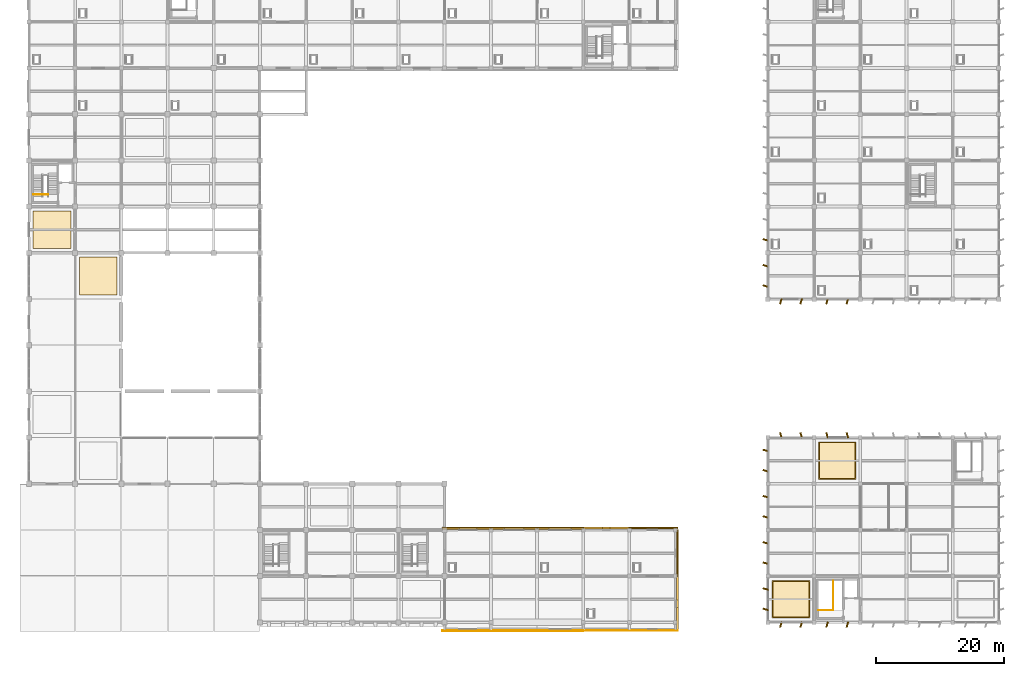
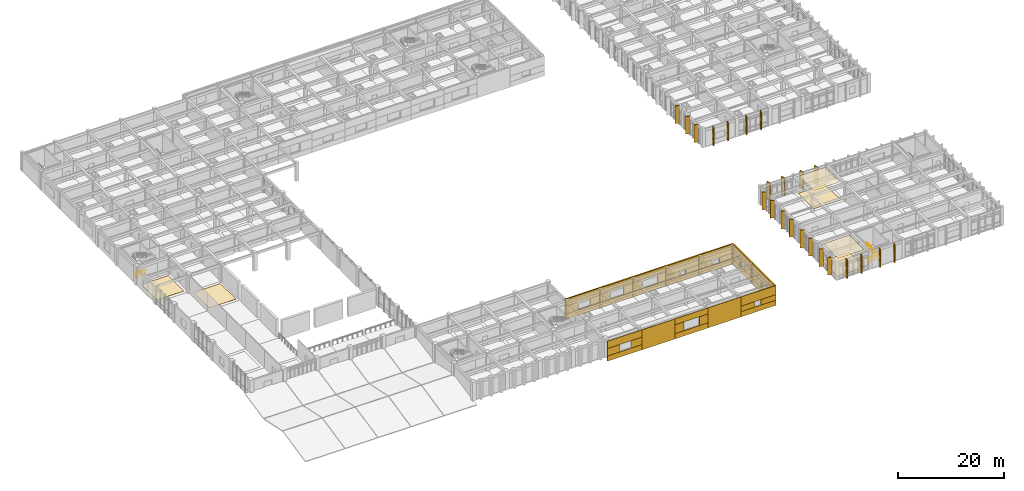
# One storey, part 65 of 70: 71 coverings, 2 railings.
"""IFC4 building model written with IfcOpenShell, lengths in metres."""

import ifcopenshell
import ifcopenshell.guid

model = None  # the IFC model being written
_history = None  # IfcOwnerHistory: only IFC2X3 demands one
_inside = {}  # id of a spatial element -> (the spatial element, [elements in it])
_under = {}  # id of a project, library or spatial element -> (it, [spatial elements below it])
_declared = {}  # id of a project -> (the project, [libraries it declares])
_typed = {}  # id of a type object -> (the type object, [elements of that type])
_made_of = {}  # id of a material, layer set ... -> (it, [elements and type objects made of it])


def new_model(schema):
    """Start an empty IFC model of exactly this schema.

    Asked for "IFC4X3", IfcOpenShell would pick the latest addendum, in which some entities
    have other attributes; the version numbers below select the first issue.
    IFC2X3 requires an IfcOwnerHistory on every rooted entity: one is made here for all.
    """
    global model, _history
    if schema == "IFC4X3":
        model = ifcopenshell.file(schema_version=(4, 3, 0, 0))
    else:
        model = ifcopenshell.file(schema=schema)
    _inside.clear()
    _under.clear()
    _declared.clear()
    _typed.clear()
    _made_of.clear()
    _history = None
    if model.schema == "IFC2X3":
        org = make("IfcOrganization", Name="unknown")
        user = make(
            "IfcPersonAndOrganization",
            ThePerson=make("IfcPerson", FamilyName="unknown"),
            TheOrganization=org,
        )
        app = make(
            "IfcApplication",
            ApplicationDeveloper=org,
            Version="unknown",
            ApplicationFullName="unknown",
            ApplicationIdentifier="unknown",
        )
        _history = make(
            "IfcOwnerHistory",
            OwningUser=user,
            OwningApplication=app,
            ChangeAction="ADDED",
            CreationDate=0,
        )
    return model


def make(cls, **values):
    """One entity of the class cls with the attributes given. An attribute that is None is left unset."""
    return model.create_entity(
        cls, **{name: value for name, value in values.items() if value is not None}
    )


def rooted(cls, **values):
    """An entity with a GlobalId (a new one), such as an element, a storey or a relation."""
    return make(cls, GlobalId=ifcopenshell.guid.new(), OwnerHistory=_history, **values)


def si_unit(unit_type, name, prefix=None):
    """IfcSIUnit, for example si_unit("LENGTHUNIT", "METRE", prefix="MILLI")."""
    return make("IfcSIUnit", UnitType=unit_type, Prefix=prefix, Name=name)


def assignment(units):
    """IfcUnitAssignment: the units of a project."""
    return None if units is None else make("IfcUnitAssignment", Units=units)


def point(xyz):
    """IfcCartesianPoint."""
    return None if xyz is None else make("IfcCartesianPoint", Coordinates=xyz)


def direction(xyz):
    """IfcDirection."""
    return None if xyz is None else make("IfcDirection", DirectionRatios=xyz)


def frame(location, z_axis=None, x_axis=None):
    """IfcAxis2Placement3D, a coordinate frame: its origin and axes. An axis left out is left unset."""
    return make(
        "IfcAxis2Placement3D",
        Location=point(location),
        Axis=direction(z_axis),
        RefDirection=direction(x_axis),
    )


def frame_2d(location, x_axis=None):
    """IfcAxis2Placement2D, a coordinate frame in the plane: its origin and x axis."""
    return make(
        "IfcAxis2Placement2D", Location=point(location), RefDirection=direction(x_axis)
    )


def origin():
    """The frame at (0, 0, 0) with its axes left unset."""
    return frame((0.0, 0.0, 0.0))


def origin_2d():
    """The frame at (0, 0) in the plane with its x axis left unset."""
    return frame_2d((0.0, 0.0))


def place(relative_to, where):
    """IfcLocalPlacement: puts the frame where relative to a parent placement (None: the world)."""
    return make(
        "IfcLocalPlacement", PlacementRelTo=relative_to, RelativePlacement=where
    )


def context(
    kind, dimensions, precision=None, world=None, true_north=None, identifier=None
):
    """IfcGeometricRepresentationContext, for example the 3D "Model" context."""
    return make(
        "IfcGeometricRepresentationContext",
        ContextIdentifier=identifier,
        ContextType=kind,
        CoordinateSpaceDimension=dimensions,
        Precision=precision,
        WorldCoordinateSystem=world,
        TrueNorth=true_north,
    )


def subcontext(parent, identifier, kind, view, scale=None):
    """IfcGeometricRepresentationSubContext, for example "Body" below "Model"."""
    return make(
        "IfcGeometricRepresentationSubContext",
        ContextIdentifier=identifier,
        ContextType=kind,
        ParentContext=parent,
        TargetScale=scale,
        TargetView=view,
    )


def project(units=None, contexts=None):
    """IfcProject with its units and contexts."""
    return rooted(
        "IfcProject",
        Name="project",
        RepresentationContexts=contexts,
        UnitsInContext=assignment(units),
    )


def spatial(cls, under=None, at=None, **own):
    """A site, building, storey or space (cls), placed at a placement, below another one or the project."""
    s = rooted(cls, ObjectPlacement=at, **own)
    if under is not None:
        _under.setdefault(under.id(), (under, []))[1].append(s)
    return s


def polyline(points):
    """IfcPolyline through the points."""
    return make("IfcPolyline", Points=[point(p) for p in points])


def profile(cls, at=None, kind="AREA", **sizes):
    """A parametric profile (cls). Its sizes go by their IFC names, for example OverallWidth=200.0."""
    return make(cls, ProfileType=kind, Position=at, **sizes)


def rectangle(**sizes):
    """IfcRectangleProfileDef."""
    return profile("IfcRectangleProfileDef", **sizes)


def circle(**sizes):
    """IfcCircleProfileDef."""
    return profile("IfcCircleProfileDef", **sizes)


def outline(outer, holes=None, kind="AREA"):
    """IfcArbitraryClosedProfileDef: a profile drawn as a closed curve; with holes, ...WithVoids."""
    if holes is None:
        return make("IfcArbitraryClosedProfileDef", ProfileType=kind, OuterCurve=outer)
    return make(
        "IfcArbitraryProfileDefWithVoids",
        ProfileType=kind,
        OuterCurve=outer,
        InnerCurves=holes,
    )


def extrude(swept, where, along, depth):
    """IfcExtrudedAreaSolid: the profile swept, set in the frame where, extruded along a direction by depth."""
    return make(
        "IfcExtrudedAreaSolid",
        SweptArea=swept,
        Position=where,
        ExtrudedDirection=direction(along),
        Depth=depth,
    )


def shape(context_of_items, identifier, shape_type, items):
    """IfcShapeRepresentation: the items that make up one representation, for example the "Body"."""
    return make(
        "IfcShapeRepresentation",
        ContextOfItems=context_of_items,
        RepresentationIdentifier=identifier,
        RepresentationType=shape_type,
        Items=items,
    )


def material(Name=None, Category=None):
    """IfcMaterial."""
    return make("IfcMaterial", Name=Name, Category=Category)


def layer(
    of_material, thickness, ventilated=None, Name=None, Category=None, Priority=None
):
    """IfcMaterialLayer: one layer of a wall or slab, of a material (None: an air gap)."""
    return make(
        "IfcMaterialLayer",
        Material=of_material,
        LayerThickness=thickness,
        IsVentilated=ventilated,
        Name=Name,
        Category=Category,
        Priority=Priority,
    )


def layer_set(layers, Name=None):
    """IfcMaterialLayerSet."""
    return make("IfcMaterialLayerSet", MaterialLayers=layers, LayerSetName=Name)


def made_of(thing, what):
    """Note that an element or type object is made of a material, layer set ...; save() writes the relation."""
    if what is not None:
        _made_of.setdefault(what.id(), (what, []))[1].append(thing)
    return thing


def type_object(cls, material=None, **own):
    """A type object (cls), such as IfcWallType, which elements share."""
    return made_of(rooted(cls, **own), material)


def element(
    cls,
    number,
    at=None,
    inside=None,
    cuts=None,
    type_object=None,
    material=None,
    context=None,
    identifier="Body",
    shape_type=None,
    held_by="IfcProductDefinitionShape",
    body=None,
    shapes=None,
    **own,
):
    """One element of the class cls, such as IfcWall. Its Tag is "e" and its number.

    at: its placement. inside: the storey or other place that contains it. cuts: it is an
    opening in that element (IfcRelVoidsElement). A single representation is given by context,
    identifier, shape_type and body (its items); several are given by shapes. held_by: the class
    of the entity that holds the representations. save() writes the other relations.
    """
    e = rooted(cls, Tag="e%d" % number, ObjectPlacement=at, **own)
    if body is not None:
        shapes = [shape(context, identifier, shape_type, body)]
    if shapes is not None:
        e.Representation = make(held_by, Representations=shapes)
    if inside is not None:
        _inside.setdefault(inside.id(), (inside, []))[1].append(e)
    if cuts is not None:
        rooted(
            "IfcRelVoidsElement", RelatingBuildingElement=cuts, RelatedOpeningElement=e
        )
    if type_object is not None:
        _typed.setdefault(type_object.id(), (type_object, []))[1].append(e)
    return made_of(e, material)


def aggregate(whole, parts):
    """IfcRelAggregates: a whole, such as a stair, and the parts it consists of."""
    return rooted("IfcRelAggregates", RelatingObject=whole, RelatedObjects=parts)


def save(model, path):
    """Write the relations noted so far, then the file.

    IfcRelAggregates (storeys below a building ...), IfcRelContainedInSpatialStructure (elements
    in a storey), IfcRelDefinesByType, IfcRelAssociatesMaterial and IfcRelDeclares: one each for
    every whole, place, type object, material and project.
    """
    for whole, parts in _under.values():
        aggregate(whole, parts)
    for where, things in _inside.values():
        rooted(
            "IfcRelContainedInSpatialStructure",
            RelatedElements=things,
            RelatingStructure=where,
        )
    for kind, things in _typed.values():
        rooted("IfcRelDefinesByType", RelatedObjects=things, RelatingType=kind)
    for what, things in _made_of.values():
        rooted("IfcRelAssociatesMaterial", RelatedObjects=things, RelatingMaterial=what)
    for by, libraries in _declared.values():
        rooted("IfcRelDeclares", RelatingContext=by, RelatedDefinitions=libraries)
    model.write(path)


model = new_model("IFC4")

# Units and contexts
model_context = context("Model", 3, precision=1e-05, world=origin(), true_north=direction((0.0, 1.0)))
body_context = subcontext(model_context, "Body", "Model", "MODEL_VIEW")
ifc_project = project(units=[si_unit("LENGTHUNIT", "METRE"), si_unit("AREAUNIT", "SQUARE_METRE"), si_unit("VOLUMEUNIT", "CUBIC_METRE"), si_unit("PLANEANGLEUNIT", "RADIAN"), si_unit("MASSUNIT", "GRAM", prefix="KILO")], contexts=[model_context])

# Site, building, storey
site_placement = place(None, origin())
site = spatial("IfcSite", under=ifc_project, at=site_placement, CompositionType="ELEMENT")
building_placement = place(site_placement, origin())
building = spatial("IfcBuilding", under=site, at=building_placement, Name="Kavelor Marine Aquarium", CompositionType="ELEMENT")
storey_placement = place(building_placement, frame((0.0, 0.0, 9.179931640625)))
storey = spatial("IfcBuildingStorey", under=building, at=storey_placement, Name="L02", CompositionType="ELEMENT", Elevation=9.179931640625)

# Coverings
ifc_material_1 = material(Name="Moisture-Resistant Acoustic Mineral-Fibre Ceiling")
ifc_layer_1 = layer(ifc_material_1, 0.0400390625)
ifc_layer_set_1 = layer_set([ifc_layer_1], Name="COV-CE1")
covering_type_1 = type_object("IfcCoveringType", Name="COV-CE1", PredefinedType="CEILING", material=ifc_layer_set_1)
covering_1_placement = place(storey_placement, frame((0.0, 0.0, 4.0400390625)))
element("IfcCovering", 1, at=covering_1_placement, inside=storey, type_object=covering_type_1, Name="ceil:L02:16_00", PredefinedType="CEILING", context=body_context, shape_type="SweptSolid", body=[
    extrude(outline(polyline([(119.199951171875, 3.60009765625), (124.800048828125, 3.60009765625), (124.800048828125, 9.199951171875), (119.199951171875, 9.199951171875), (119.199951171875, 3.60009765625)])), origin(), (0.0, 0.0, 1.0), 0.0400390625),
])
covering_2_placement = place(storey_placement, frame((0.0, 0.0, 4.0400390625)))
element("IfcCovering", 2, at=covering_2_placement, inside=storey, type_object=covering_type_1, Name="ceil:L02:17_03", PredefinedType="CEILING", context=body_context, shape_type="SweptSolid", body=[
    extrude(outline(polyline([(126.39990234375, 25.199951171875), (132.0, 25.199951171875), (132.0, 30.800048828125), (126.39990234375, 30.800048828125), (126.39990234375, 25.199951171875)])), origin(), (0.0, 0.0, 1.0), 0.0400390625),
])
ifc_material_2 = material(Name="Precast Concrete C45/55 Coastal Brise-Soleil Fin", Category="concrete")
ifc_layer_2 = layer(ifc_material_2, 0.219970703125)
ifc_layer_set_2 = layer_set([ifc_layer_2], Name="COV-CL1")
covering_type_2 = type_object("IfcCoveringType", Name="COV-CL1", PredefinedType="CLADDING", material=ifc_layer_set_2)
for number, where, z_axis, x_axis, name in (
    (3, (118.0400390625, 4.81591796875, 0.0), (0.0, 0.0, 1.0), (0.951056516295, -0.309016994375, 0.0), "fin:y:L02:16_00:0"),
    (4, (118.0400390625, 7.98388671875, 0.0), (0.0, 0.0, 1.0), (0.951056516295, -0.309016994375, 0.0), "fin:y:L02:16_00:1"),
    (5, (118.0400390625, 12.01611328125, 0.0), (0.0, 0.0, 1.0), (0.951056516295, -0.309016994375, 0.0), "fin:y:L02:16_01:0"),
    (6, (118.0400390625, 15.18408203125, 0.0), (0.0, 0.0, 1.0), (0.951056516295, -0.309016994375, 0.0), "fin:y:L02:16_01:1"),
    (7, (118.0400390625, 19.216064453125, 0.0), (0.0, 0.0, 1.0), (0.951056516295, -0.309016994375, 0.0), "fin:y:L02:16_02:0"),
    (8, (118.0400390625, 22.384033203125, 0.0), (0.0, 0.0, 1.0), (0.951056516295, -0.309016994375, 0.0), "fin:y:L02:16_02:1"),
    (9, (118.0400390625, 26.416015625, 0.0), (0.0, 0.0, 1.0), (0.951056516295, -0.309016994375, 0.0), "fin:y:L02:16_03:0"),
    (10, (118.0400390625, 29.583984375, 0.0), (0.0, 0.0, 1.0), (0.951056516295, -0.309016994375, 0.0), "fin:y:L02:16_03:1"),
    (11, (118.0400390625, 55.216064453125, 0.0), (0.0, 0.0, 1.0), (0.951056516295, -0.309016994375, 0.0), "fin:y:L02:16_07:0"),
    (12, (118.0400390625, 58.384033203125, 0.0), (0.0, 0.0, 1.0), (0.951056516295, -0.309016994375, 0.0), "fin:y:L02:16_07:1"),
    (13, (118.0400390625, 62.416015625, 0.0), (0.0, 0.0, 1.0), (0.951056516295, -0.309016994375, 0.0), "fin:y:L02:16_08:0"),
):
    element("IfcCovering", number, at=place(storey_placement, frame(where, z_axis=z_axis, x_axis=x_axis)), inside=storey, type_object=covering_type_2, Name=name, PredefinedType="CLADDING", context=body_context, shape_type="SweptSolid", body=[
        extrude(rectangle(XDim=0.85009765625, YDim=0.219970703125, at=origin_2d()), origin(), (0.0, 0.0, 1.0), 4.06005859375),
    ])
for number, where, z_axis, x_axis, name in (
    (14, (120.416015625, 2.43994140625, 0.0), (0.0, 0.0, 1.0), (0.951056516295, -0.309016994375, 0.0), "fin:x:L02:16_00:0"),
    (15, (123.583984375, 2.43994140625, 0.0), (0.0, 0.0, 1.0), (0.951056516295, -0.309016994375, 0.0), "fin:x:L02:16_00:1"),
    (16, (120.416015625, 31.9599609375, 0.0), (0.0, 0.0, 1.0), (0.951056516295, 0.309016994375, 0.0), "fin:x:L02:16_04:0"),
    (17, (123.583984375, 31.9599609375, 0.0), (0.0, 0.0, 1.0), (0.951056516295, 0.309016994375, 0.0), "fin:x:L02:16_04:1"),
    (18, (120.416015625, 52.840087890625, 0.0), (0.0, 0.0, 1.0), (0.951056516295, -0.309016994375, 0.0), "fin:x:L02:16_07:0"),
    (19, (123.583984375, 52.840087890625, 0.0), (0.0, 0.0, 1.0), (0.951056516295, -0.309016994375, 0.0), "fin:x:L02:16_07:1"),
    (20, (127.615966796875, 2.43994140625, 0.0), (0.0, 0.0, 1.0), (0.951056516295, -0.309016994375, 0.0), "fin:x:L02:17_00:0"),
    (21, (130.783935546875, 2.43994140625, 0.0), (0.0, 0.0, 1.0), (0.951056516295, -0.309016994375, 0.0), "fin:x:L02:17_00:1"),
    (22, (127.615966796875, 31.9599609375, 0.0), (0.0, 0.0, 1.0), (0.951056516295, 0.309016994375, 0.0), "fin:x:L02:17_04:0"),
    (23, (130.783935546875, 31.9599609375, 0.0), (0.0, 0.0, 1.0), (0.951056516295, 0.309016994375, 0.0), "fin:x:L02:17_04:1"),
    (24, (127.615966796875, 52.840087890625, 0.0), (0.0, 0.0, 1.0), (0.951056516295, -0.309016994375, 0.0), "fin:x:L02:17_07:0"),
    (25, (130.783935546875, 52.840087890625, 0.0), (0.0, 0.0, 1.0), (0.951056516295, -0.309016994375, 0.0), "fin:x:L02:17_07:1"),
):
    element("IfcCovering", number, at=place(storey_placement, frame(where, z_axis=z_axis, x_axis=x_axis)), inside=storey, type_object=covering_type_2, Name=name, PredefinedType="CLADDING", context=body_context, shape_type="SweptSolid", body=[
        extrude(rectangle(XDim=0.219970703125, YDim=0.85009765625, at=origin_2d()), origin(), (0.0, 0.0, 1.0), 4.06005859375),
    ])
ifc_material_3 = material(Name="Polished Coastal Terrazzo Flooring")
ifc_layer_3 = layer(ifc_material_3, 0.030029296875)
ifc_layer_set_3 = layer_set([ifc_layer_3], Name="COV-FL1")
covering_type_3 = type_object("IfcCoveringType", Name="COV-FL1", PredefinedType="FLOORING", material=ifc_layer_set_3)
covering_3_placement = place(storey_placement, origin())
element("IfcCovering", 26, at=covering_3_placement, inside=storey, type_object=covering_type_3, Name="flr:L02:00_08", PredefinedType="FLOORING", context=body_context, shape_type="SweptSolid", body=[
    extrude(outline(polyline([(3.85009765625, 61.050048828125), (9.75, 61.050048828125), (9.75, 66.949951171875), (3.85009765625, 66.949951171875), (3.85009765625, 61.050048828125)])), origin(), (0.0, 0.0, 1.0), 0.030029296875),
])
covering_4_placement = place(storey_placement, origin())
element("IfcCovering", 27, at=covering_4_placement, inside=storey, type_object=covering_type_3, Name="flr:L02:01_07", PredefinedType="FLOORING", context=body_context, shape_type="SweptSolid", body=[
    extrude(outline(polyline([(11.050048828125, 53.85009765625), (16.949951171875, 53.85009765625), (16.949951171875, 59.75), (11.050048828125, 59.75), (11.050048828125, 53.85009765625)])), origin(), (0.0, 0.0, 1.0), 0.030029296875),
])
covering_5_placement = place(storey_placement, origin())
element("IfcCovering", 28, at=covering_5_placement, inside=storey, type_object=covering_type_3, Name="flr:L02:16_00", PredefinedType="FLOORING", context=body_context, shape_type="SweptSolid", body=[
    extrude(outline(polyline([(119.050048828125, 3.449951171875), (124.949951171875, 3.449951171875), (124.949951171875, 9.35009765625), (119.050048828125, 9.35009765625), (119.050048828125, 3.449951171875)])), origin(), (0.0, 0.0, 1.0), 0.030029296875),
])
covering_6_placement = place(storey_placement, origin())
element("IfcCovering", 29, at=covering_6_placement, inside=storey, type_object=covering_type_3, Name="flr:L02:17_03", PredefinedType="FLOORING", context=body_context, shape_type="SweptSolid", body=[
    extrude(outline(polyline([(126.25, 25.050048828125), (132.14990234375, 25.050048828125), (132.14990234375, 30.949951171875), (126.25, 30.949951171875), (126.25, 25.050048828125)])), origin(), (0.0, 0.0, 1.0), 0.030029296875),
])
ifc_material_4 = material(Name="Smooth White Marine Aluminium Composite Cladding", Category="aluminium")
ifc_layer_4 = layer(ifc_material_4, 0.10009765625)
ifc_layer_set_4 = layer_set([ifc_layer_4], Name="COV-WM1")
covering_type_4 = type_object("IfcCoveringType", Name="COV-WM1", PredefinedType="CLADDING", material=ifc_layer_set_4)
covering_7_placement = place(storey_placement, frame((0.0, 0.0, -0.280029296875)))
element("IfcCovering", 30, at=covering_7_placement, inside=storey, type_object=covering_type_4, Name="wmc:x:L02:09_00:sill", PredefinedType="CLADDING", context=body_context, shape_type="SweptSolid", body=[
    extrude(outline(polyline([(67.64990234375, 1.43994140625), (75.199951171875, 1.43994140625), (75.199951171875, 1.56005859375), (67.64990234375, 1.56005859375), (67.64990234375, 1.43994140625)])), origin(), (0.0, 0.0, 1.0), 1.190185546875),
])
covering_8_placement = place(storey_placement, frame((0.0, 0.0, 2.64013671875)))
element("IfcCovering", 31, at=covering_8_placement, inside=storey, type_object=covering_type_4, Name="wmc:x:L02:09_00:head", PredefinedType="CLADDING", context=body_context, shape_type="SweptSolid", body=[
    extrude(outline(polyline([(67.64990234375, 1.43994140625), (75.199951171875, 1.43994140625), (75.199951171875, 1.56005859375), (67.64990234375, 1.56005859375), (67.64990234375, 1.43994140625)])), origin(), (0.0, 0.0, 1.0), 1.679931640625),
])
covering_9_placement = place(storey_placement, frame((0.0, 0.0, 0.91015625)))
element("IfcCovering", 32, at=covering_9_placement, inside=storey, type_object=covering_type_4, Name="wmc:x:L02:09_00:left", PredefinedType="CLADDING", context=body_context, shape_type="SweptSolid", body=[
    extrude(outline(polyline([(67.64990234375, 1.43994140625), (70.260009765625, 1.43994140625), (70.260009765625, 1.56005859375), (67.64990234375, 1.56005859375), (67.64990234375, 1.43994140625)])), origin(), (0.0, 0.0, 1.0), 1.72998046875),
])
covering_10_placement = place(storey_placement, frame((0.0, 0.0, 0.91015625)))
element("IfcCovering", 33, at=covering_10_placement, inside=storey, type_object=covering_type_4, Name="wmc:x:L02:09_00:right", PredefinedType="CLADDING", context=body_context, shape_type="SweptSolid", body=[
    extrude(outline(polyline([(72.93994140625, 1.43994140625), (75.199951171875, 1.43994140625), (75.199951171875, 1.56005859375), (72.93994140625, 1.56005859375), (72.93994140625, 1.43994140625)])), origin(), (0.0, 0.0, 1.0), 1.72998046875),
])
covering_11_placement = place(storey_placement, frame((0.0, 0.0, -0.280029296875)))
element("IfcCovering", 34, at=covering_11_placement, inside=storey, type_object=covering_type_4, Name="wmc:x:L02:09_02:sill", PredefinedType="CLADDING", context=body_context, shape_type="SweptSolid", body=[
    extrude(outline(polyline([(67.64990234375, 17.35009765625), (75.199951171875, 17.35009765625), (75.199951171875, 17.639892578125), (67.64990234375, 17.639892578125), (67.64990234375, 17.35009765625)])), origin(), (0.0, 0.0, 1.0), 1.190185546875),
])
covering_12_placement = place(storey_placement, frame((0.0, 0.0, 2.690185546875)))
element("IfcCovering", 35, at=covering_12_placement, inside=storey, type_object=covering_type_4, Name="wmc:x:L02:09_02:head", PredefinedType="CLADDING", context=body_context, shape_type="SweptSolid", body=[
    extrude(outline(polyline([(67.64990234375, 17.35009765625), (75.199951171875, 17.35009765625), (75.199951171875, 17.639892578125), (67.64990234375, 17.639892578125), (67.64990234375, 17.35009765625)])), origin(), (0.0, 0.0, 1.0), 1.6298828125),
])
covering_13_placement = place(storey_placement, frame((0.0, 0.0, 0.91015625)))
element("IfcCovering", 36, at=covering_13_placement, inside=storey, type_object=covering_type_4, Name="wmc:x:L02:09_02:left", PredefinedType="CLADDING", context=body_context, shape_type="SweptSolid", body=[
    extrude(outline(polyline([(67.64990234375, 17.35009765625), (70.260009765625, 17.35009765625), (70.260009765625, 17.639892578125), (67.64990234375, 17.639892578125), (67.64990234375, 17.35009765625)])), origin(), (0.0, 0.0, 1.0), 1.780029296875),
])
covering_14_placement = place(storey_placement, frame((0.0, 0.0, 0.91015625)))
element("IfcCovering", 37, at=covering_14_placement, inside=storey, type_object=covering_type_4, Name="wmc:x:L02:09_02:right", PredefinedType="CLADDING", context=body_context, shape_type="SweptSolid", body=[
    extrude(outline(polyline([(73.0400390625, 17.35009765625), (75.199951171875, 17.35009765625), (75.199951171875, 17.639892578125), (73.0400390625, 17.639892578125), (73.0400390625, 17.35009765625)])), origin(), (0.0, 0.0, 1.0), 1.780029296875),
])
covering_15_placement = place(storey_placement, frame((0.0, 0.0, -0.280029296875)))
element("IfcCovering", 38, at=covering_15_placement, inside=storey, type_object=covering_type_4, Name="wmc:x:L02:10_00:full", PredefinedType="CLADDING", context=body_context, shape_type="SweptSolid", body=[
    extrude(outline(polyline([(75.199951171875, 1.429931640625), (82.39990234375, 1.429931640625), (82.39990234375, 1.550048828125), (75.199951171875, 1.550048828125), (75.199951171875, 1.429931640625)])), origin(), (0.0, 0.0, 1.0), 4.60009765625),
])
covering_16_placement = place(storey_placement, frame((0.0, 0.0, -0.280029296875)))
element("IfcCovering", 39, at=covering_16_placement, inside=storey, type_object=covering_type_4, Name="wmc:x:L02:10_02:sill", PredefinedType="CLADDING", context=body_context, shape_type="SweptSolid", body=[
    extrude(outline(polyline([(75.199951171875, 17.340087890625), (82.39990234375, 17.340087890625), (82.39990234375, 17.639892578125), (75.199951171875, 17.639892578125), (75.199951171875, 17.340087890625)])), origin(), (0.0, 0.0, 1.0), 1.190185546875),
])
covering_17_placement = place(storey_placement, frame((0.0, 0.0, 2.840087890625)))
element("IfcCovering", 40, at=covering_17_placement, inside=storey, type_object=covering_type_4, Name="wmc:x:L02:10_02:head", PredefinedType="CLADDING", context=body_context, shape_type="SweptSolid", body=[
    extrude(outline(polyline([(75.199951171875, 17.340087890625), (82.39990234375, 17.340087890625), (82.39990234375, 17.639892578125), (75.199951171875, 17.639892578125), (75.199951171875, 17.340087890625)])), origin(), (0.0, 0.0, 1.0), 1.47998046875),
])
covering_18_placement = place(storey_placement, frame((0.0, 0.0, 0.91015625)))
element("IfcCovering", 41, at=covering_18_placement, inside=storey, type_object=covering_type_4, Name="wmc:x:L02:10_02:left", PredefinedType="CLADDING", context=body_context, shape_type="SweptSolid", body=[
    extrude(outline(polyline([(75.199951171875, 17.340087890625), (77.260009765625, 17.340087890625), (77.260009765625, 17.639892578125), (75.199951171875, 17.639892578125), (75.199951171875, 17.340087890625)])), origin(), (0.0, 0.0, 1.0), 1.929931640625),
])
covering_19_placement = place(storey_placement, frame((0.0, 0.0, 0.91015625)))
element("IfcCovering", 42, at=covering_19_placement, inside=storey, type_object=covering_type_4, Name="wmc:x:L02:10_02:right", PredefinedType="CLADDING", context=body_context, shape_type="SweptSolid", body=[
    extrude(outline(polyline([(80.340087890625, 17.340087890625), (82.39990234375, 17.340087890625), (82.39990234375, 17.639892578125), (80.340087890625, 17.639892578125), (80.340087890625, 17.340087890625)])), origin(), (0.0, 0.0, 1.0), 1.929931640625),
])
covering_20_placement = place(storey_placement, frame((0.0, 0.0, -0.280029296875)))
element("IfcCovering", 43, at=covering_20_placement, inside=storey, type_object=covering_type_4, Name="wmc:x:L02:11_00:sill", PredefinedType="CLADDING", context=body_context, shape_type="SweptSolid", body=[
    extrude(outline(polyline([(82.39990234375, 1.449951171875), (89.60009765625, 1.449951171875), (89.60009765625, 1.570068359375), (82.39990234375, 1.570068359375), (82.39990234375, 1.449951171875)])), origin(), (0.0, 0.0, 1.0), 1.190185546875),
])
covering_21_placement = place(storey_placement, frame((0.0, 0.0, 2.940185546875)))
element("IfcCovering", 44, at=covering_21_placement, inside=storey, type_object=covering_type_4, Name="wmc:x:L02:11_00:head", PredefinedType="CLADDING", context=body_context, shape_type="SweptSolid", body=[
    extrude(outline(polyline([(82.39990234375, 1.449951171875), (89.60009765625, 1.449951171875), (89.60009765625, 1.570068359375), (82.39990234375, 1.570068359375), (82.39990234375, 1.449951171875)])), origin(), (0.0, 0.0, 1.0), 1.3798828125),
])
covering_22_placement = place(storey_placement, frame((0.0, 0.0, 0.91015625)))
element("IfcCovering", 45, at=covering_22_placement, inside=storey, type_object=covering_type_4, Name="wmc:x:L02:11_00:left", PredefinedType="CLADDING", context=body_context, shape_type="SweptSolid", body=[
    extrude(outline(polyline([(82.39990234375, 1.449951171875), (84.31005859375, 1.449951171875), (84.31005859375, 1.570068359375), (82.39990234375, 1.570068359375), (82.39990234375, 1.449951171875)])), origin(), (0.0, 0.0, 1.0), 2.030029296875),
])
covering_23_placement = place(storey_placement, frame((0.0, 0.0, 0.91015625)))
element("IfcCovering", 46, at=covering_23_placement, inside=storey, type_object=covering_type_4, Name="wmc:x:L02:11_00:right", PredefinedType="CLADDING", context=body_context, shape_type="SweptSolid", body=[
    extrude(outline(polyline([(87.68994140625, 1.449951171875), (89.60009765625, 1.449951171875), (89.60009765625, 1.570068359375), (87.68994140625, 1.570068359375), (87.68994140625, 1.449951171875)])), origin(), (0.0, 0.0, 1.0), 2.030029296875),
])
covering_24_placement = place(storey_placement, frame((0.0, 0.0, -0.280029296875)))
element("IfcCovering", 47, at=covering_24_placement, inside=storey, type_object=covering_type_4, Name="wmc:x:L02:11_02:sill", PredefinedType="CLADDING", context=body_context, shape_type="SweptSolid", body=[
    extrude(outline(polyline([(82.39990234375, 17.330078125), (89.60009765625, 17.330078125), (89.60009765625, 17.639892578125), (82.39990234375, 17.639892578125), (82.39990234375, 17.330078125)])), origin(), (0.0, 0.0, 1.0), 1.190185546875),
])
covering_25_placement = place(storey_placement, frame((0.0, 0.0, 2.989990234375)))
element("IfcCovering", 48, at=covering_25_placement, inside=storey, type_object=covering_type_4, Name="wmc:x:L02:11_02:head", PredefinedType="CLADDING", context=body_context, shape_type="SweptSolid", body=[
    extrude(outline(polyline([(82.39990234375, 17.330078125), (89.60009765625, 17.330078125), (89.60009765625, 17.639892578125), (82.39990234375, 17.639892578125), (82.39990234375, 17.330078125)])), origin(), (0.0, 0.0, 1.0), 1.330078125),
])
covering_26_placement = place(storey_placement, frame((0.0, 0.0, 0.91015625)))
element("IfcCovering", 49, at=covering_26_placement, inside=storey, type_object=covering_type_4, Name="wmc:x:L02:11_02:left", PredefinedType="CLADDING", context=body_context, shape_type="SweptSolid", body=[
    extrude(outline(polyline([(82.39990234375, 17.330078125), (84.235107421875, 17.330078125), (84.235107421875, 17.639892578125), (82.39990234375, 17.639892578125), (82.39990234375, 17.330078125)])), origin(), (0.0, 0.0, 1.0), 2.079833984375),
])
covering_27_placement = place(storey_placement, frame((0.0, 0.0, 0.91015625)))
element("IfcCovering", 50, at=covering_27_placement, inside=storey, type_object=covering_type_4, Name="wmc:x:L02:11_02:right", PredefinedType="CLADDING", context=body_context, shape_type="SweptSolid", body=[
    extrude(outline(polyline([(87.764892578125, 17.330078125), (89.60009765625, 17.330078125), (89.60009765625, 17.639892578125), (87.764892578125, 17.639892578125), (87.764892578125, 17.330078125)])), origin(), (0.0, 0.0, 1.0), 2.079833984375),
])
covering_28_placement = place(storey_placement, frame((0.0, 0.0, -0.280029296875)))
element("IfcCovering", 51, at=covering_28_placement, inside=storey, type_object=covering_type_4, Name="wmc:x:L02:12_00:full", PredefinedType="CLADDING", context=body_context, shape_type="SweptSolid", body=[
    extrude(outline(polyline([(89.60009765625, 1.4599609375), (96.800048828125, 1.4599609375), (96.800048828125, 1.580078125), (89.60009765625, 1.580078125), (89.60009765625, 1.4599609375)])), origin(), (0.0, 0.0, 1.0), 4.60009765625),
])
covering_29_placement = place(storey_placement, frame((0.0, 0.0, -0.280029296875)))
element("IfcCovering", 52, at=covering_29_placement, inside=storey, type_object=covering_type_4, Name="wmc:x:L02:12_02:sill", PredefinedType="CLADDING", context=body_context, shape_type="SweptSolid", body=[
    extrude(outline(polyline([(89.60009765625, 17.320068359375), (96.800048828125, 17.320068359375), (96.800048828125, 17.639892578125), (89.60009765625, 17.639892578125), (89.60009765625, 17.320068359375)])), origin(), (0.0, 0.0, 1.0), 1.190185546875),
])
covering_30_placement = place(storey_placement, frame((0.0, 0.0, 2.14013671875)))
element("IfcCovering", 53, at=covering_30_placement, inside=storey, type_object=covering_type_4, Name="wmc:x:L02:12_02:head", PredefinedType="CLADDING", context=body_context, shape_type="SweptSolid", body=[
    extrude(outline(polyline([(89.60009765625, 17.320068359375), (96.800048828125, 17.320068359375), (96.800048828125, 17.639892578125), (89.60009765625, 17.639892578125), (89.60009765625, 17.320068359375)])), origin(), (0.0, 0.0, 1.0), 2.179931640625),
])
covering_31_placement = place(storey_placement, frame((0.0, 0.0, 0.91015625)))
element("IfcCovering", 54, at=covering_31_placement, inside=storey, type_object=covering_type_4, Name="wmc:x:L02:12_02:left", PredefinedType="CLADDING", context=body_context, shape_type="SweptSolid", body=[
    extrude(outline(polyline([(89.60009765625, 17.320068359375), (92.5849609375, 17.320068359375), (92.5849609375, 17.639892578125), (89.60009765625, 17.639892578125), (89.60009765625, 17.320068359375)])), origin(), (0.0, 0.0, 1.0), 1.22998046875),
])
covering_32_placement = place(storey_placement, frame((0.0, 0.0, 0.91015625)))
element("IfcCovering", 55, at=covering_32_placement, inside=storey, type_object=covering_type_4, Name="wmc:x:L02:12_02:right", PredefinedType="CLADDING", context=body_context, shape_type="SweptSolid", body=[
    extrude(outline(polyline([(93.81494140625, 17.320068359375), (96.800048828125, 17.320068359375), (96.800048828125, 17.639892578125), (93.81494140625, 17.639892578125), (93.81494140625, 17.320068359375)])), origin(), (0.0, 0.0, 1.0), 1.22998046875),
])
covering_33_placement = place(storey_placement, frame((0.0, 0.0, -0.280029296875)))
element("IfcCovering", 56, at=covering_33_placement, inside=storey, type_object=covering_type_4, Name="wmc:x:L02:13_00:sill", PredefinedType="CLADDING", context=body_context, shape_type="SweptSolid", body=[
    extrude(outline(polyline([(96.800048828125, 1.469970703125), (104.35009765625, 1.469970703125), (104.35009765625, 1.590087890625), (96.800048828125, 1.590087890625), (96.800048828125, 1.469970703125)])), origin(), (0.0, 0.0, 1.0), 1.190185546875),
])
covering_34_placement = place(storey_placement, frame((0.0, 0.0, 2.190185546875)))
element("IfcCovering", 57, at=covering_34_placement, inside=storey, type_object=covering_type_4, Name="wmc:x:L02:13_00:head", PredefinedType="CLADDING", context=body_context, shape_type="SweptSolid", body=[
    extrude(outline(polyline([(96.800048828125, 1.469970703125), (104.35009765625, 1.469970703125), (104.35009765625, 1.590087890625), (96.800048828125, 1.590087890625), (96.800048828125, 1.469970703125)])), origin(), (0.0, 0.0, 1.0), 2.1298828125),
])
covering_35_placement = place(storey_placement, frame((0.0, 0.0, 0.91015625)))
element("IfcCovering", 58, at=covering_35_placement, inside=storey, type_object=covering_type_4, Name="wmc:x:L02:13_00:left", PredefinedType="CLADDING", context=body_context, shape_type="SweptSolid", body=[
    extrude(outline(polyline([(96.800048828125, 1.469970703125), (99.68505859375, 1.469970703125), (99.68505859375, 1.590087890625), (96.800048828125, 1.590087890625), (96.800048828125, 1.469970703125)])), origin(), (0.0, 0.0, 1.0), 1.280029296875),
])
covering_36_placement = place(storey_placement, frame((0.0, 0.0, 0.91015625)))
element("IfcCovering", 59, at=covering_36_placement, inside=storey, type_object=covering_type_4, Name="wmc:x:L02:13_00:right", PredefinedType="CLADDING", context=body_context, shape_type="SweptSolid", body=[
    extrude(outline(polyline([(101.114990234375, 1.469970703125), (104.35009765625, 1.469970703125), (104.35009765625, 1.590087890625), (101.114990234375, 1.590087890625), (101.114990234375, 1.469970703125)])), origin(), (0.0, 0.0, 1.0), 1.280029296875),
])
covering_37_placement = place(storey_placement, frame((0.0, 0.0, -0.280029296875)))
element("IfcCovering", 60, at=covering_37_placement, inside=storey, type_object=covering_type_4, Name="wmc:x:L02:13_02:sill", PredefinedType="CLADDING", context=body_context, shape_type="SweptSolid", body=[
    extrude(outline(polyline([(96.800048828125, 17.360107421875), (104.35009765625, 17.360107421875), (104.35009765625, 17.639892578125), (96.800048828125, 17.639892578125), (96.800048828125, 17.360107421875)])), origin(), (0.0, 0.0, 1.0), 1.190185546875),
])
covering_38_placement = place(storey_placement, frame((0.0, 0.0, 2.239990234375)))
element("IfcCovering", 61, at=covering_38_placement, inside=storey, type_object=covering_type_4, Name="wmc:x:L02:13_02:head", PredefinedType="CLADDING", context=body_context, shape_type="SweptSolid", body=[
    extrude(outline(polyline([(96.800048828125, 17.360107421875), (104.35009765625, 17.360107421875), (104.35009765625, 17.639892578125), (96.800048828125, 17.639892578125), (96.800048828125, 17.360107421875)])), origin(), (0.0, 0.0, 1.0), 2.080078125),
])
covering_39_placement = place(storey_placement, frame((0.0, 0.0, 0.91015625)))
element("IfcCovering", 62, at=covering_39_placement, inside=storey, type_object=covering_type_4, Name="wmc:x:L02:13_02:left", PredefinedType="CLADDING", context=body_context, shape_type="SweptSolid", body=[
    extrude(outline(polyline([(96.800048828125, 17.360107421875), (99.5849609375, 17.360107421875), (99.5849609375, 17.639892578125), (96.800048828125, 17.639892578125), (96.800048828125, 17.360107421875)])), origin(), (0.0, 0.0, 1.0), 1.329833984375),
])
covering_40_placement = place(storey_placement, frame((0.0, 0.0, 0.91015625)))
element("IfcCovering", 63, at=covering_40_placement, inside=storey, type_object=covering_type_4, Name="wmc:x:L02:13_02:right", PredefinedType="CLADDING", context=body_context, shape_type="SweptSolid", body=[
    extrude(outline(polyline([(101.215087890625, 17.360107421875), (104.35009765625, 17.360107421875), (104.35009765625, 17.639892578125), (101.215087890625, 17.639892578125), (101.215087890625, 17.360107421875)])), origin(), (0.0, 0.0, 1.0), 1.329833984375),
])
covering_41_placement = place(storey_placement, frame((0.0, 0.0, -0.280029296875)))
element("IfcCovering", 64, at=covering_41_placement, inside=storey, type_object=covering_type_4, Name="wmc:y:L02:14_00:sill", PredefinedType="CLADDING", context=body_context, shape_type="SweptSolid", body=[
    extrude(outline(polyline([(104.1201171875, 1.56005859375), (104.43994140625, 1.56005859375), (104.43994140625, 10.0), (104.1201171875, 10.0), (104.1201171875, 1.56005859375)])), origin(), (0.0, 0.0, 1.0), 1.190185546875),
])
covering_42_placement = place(storey_placement, frame((0.0, 0.0, 2.39013671875)))
element("IfcCovering", 65, at=covering_42_placement, inside=storey, type_object=covering_type_4, Name="wmc:y:L02:14_00:head", PredefinedType="CLADDING", context=body_context, shape_type="SweptSolid", body=[
    extrude(outline(polyline([(104.1201171875, 1.56005859375), (104.43994140625, 1.56005859375), (104.43994140625, 10.0), (104.1201171875, 10.0), (104.1201171875, 1.56005859375)])), origin(), (0.0, 0.0, 1.0), 1.929931640625),
])
covering_43_placement = place(storey_placement, frame((0.0, 0.0, 0.91015625)))
element("IfcCovering", 66, at=covering_43_placement, inside=storey, type_object=covering_type_4, Name="wmc:y:L02:14_00:left", PredefinedType="CLADDING", context=body_context, shape_type="SweptSolid", body=[
    extrude(outline(polyline([(104.1201171875, 1.56005859375), (104.43994140625, 1.56005859375), (104.43994140625, 5.12255859375), (104.1201171875, 5.12255859375), (104.1201171875, 1.56005859375)])), origin(), (0.0, 0.0, 1.0), 1.47998046875),
])
covering_44_placement = place(storey_placement, frame((0.0, 0.0, 0.91015625)))
element("IfcCovering", 67, at=covering_44_placement, inside=storey, type_object=covering_type_4, Name="wmc:y:L02:14_00:right", PredefinedType="CLADDING", context=body_context, shape_type="SweptSolid", body=[
    extrude(outline(polyline([(104.1201171875, 6.302490234375), (104.43994140625, 6.302490234375), (104.43994140625, 10.0), (104.1201171875, 10.0), (104.1201171875, 6.302490234375)])), origin(), (0.0, 0.0, 1.0), 1.47998046875),
])
covering_45_placement = place(storey_placement, frame((0.0, 0.0, -0.280029296875)))
element("IfcCovering", 68, at=covering_45_placement, inside=storey, type_object=covering_type_4, Name="wmc:y:L02:14_01:sill", PredefinedType="CLADDING", context=body_context, shape_type="SweptSolid", body=[
    extrude(outline(polyline([(104.159912109375, 10.0), (104.43994140625, 10.0), (104.43994140625, 17.199951171875), (104.159912109375, 17.199951171875), (104.159912109375, 10.0)])), origin(), (0.0, 0.0, 1.0), 1.190185546875),
])
covering_46_placement = place(storey_placement, frame((0.0, 0.0, 2.489990234375)))
element("IfcCovering", 69, at=covering_46_placement, inside=storey, type_object=covering_type_4, Name="wmc:y:L02:14_01:head", PredefinedType="CLADDING", context=body_context, shape_type="SweptSolid", body=[
    extrude(outline(polyline([(104.159912109375, 10.0), (104.43994140625, 10.0), (104.43994140625, 17.199951171875), (104.159912109375, 17.199951171875), (104.159912109375, 10.0)])), origin(), (0.0, 0.0, 1.0), 1.830078125),
])
covering_47_placement = place(storey_placement, frame((0.0, 0.0, 0.91015625)))
element("IfcCovering", 70, at=covering_47_placement, inside=storey, type_object=covering_type_4, Name="wmc:y:L02:14_01:left", PredefinedType="CLADDING", context=body_context, shape_type="SweptSolid", body=[
    extrude(outline(polyline([(104.159912109375, 10.0), (104.43994140625, 10.0), (104.43994140625, 12.9599609375), (104.159912109375, 12.9599609375), (104.159912109375, 10.0)])), origin(), (0.0, 0.0, 1.0), 1.579833984375),
])
covering_48_placement = place(storey_placement, frame((0.0, 0.0, 0.91015625)))
element("IfcCovering", 71, at=covering_48_placement, inside=storey, type_object=covering_type_4, Name="wmc:y:L02:14_01:right", PredefinedType="CLADDING", context=body_context, shape_type="SweptSolid", body=[
    extrude(outline(polyline([(104.159912109375, 14.239990234375), (104.43994140625, 14.239990234375), (104.43994140625, 17.199951171875), (104.159912109375, 17.199951171875), (104.159912109375, 14.239990234375)])), origin(), (0.0, 0.0, 1.0), 1.579833984375),
])

# Railings
ifc_material_5 = material(Name="Brushed Stainless Steel Stair Guardrail", Category="steel")
railing_type = type_object("IfcRailingType", Name="RL-SG1", PredefinedType="GUARDRAIL", material=ifc_material_5)
railing_1_placement = place(storey_placement, frame((3.8798828125, 69.47998046875, 0.0)))
element("IfcRailing", 72, at=railing_1_placement, inside=storey, type_object=railing_type, Name="Stairwell Guardrail ST03-W", PredefinedType="GUARDRAIL", context=body_context, shape_type="SweptSolid", body=[
    extrude(circle(Radius=0.0224609375, at=origin_2d()), frame((0.0, 0.0, 1.09765625), z_axis=(1.0, 0.0, 0.0), x_axis=(0.0, 1.0, 0.0)), (0.0, 0.0, 1.0), 2.300048828125),
    extrude(circle(Radius=0.02099609375, at=origin_2d()), origin(), (0.0, 0.0, 1.0), 1.0751953125),
    extrude(circle(Radius=0.02099609375, at=origin_2d()), frame((0.7666015625, 0.0, 0.0)), (0.0, 0.0, 1.0), 1.0751953125),
    extrude(circle(Radius=0.02099609375, at=origin_2d()), frame((1.533447265625, 0.0, 0.0)), (0.0, 0.0, 1.0), 1.0751953125),
    extrude(circle(Radius=0.02099609375, at=origin_2d()), frame((2.300048828125, 0.0, 0.0)), (0.0, 0.0, 1.0), 1.0751953125),
])
railing_2_placement = place(storey_placement, frame((126.280029296875, 4.679931640625, 0.0)))
element("IfcRailing", 73, at=railing_2_placement, inside=storey, type_object=railing_type, Name="Stairwell Guardrail ST08-W", PredefinedType="GUARDRAIL", context=body_context, shape_type="SweptSolid", body=[
    extrude(circle(Radius=0.0224609375, at=origin_2d()), frame((0.0, 0.0, 1.09765625), z_axis=(1.0, 0.0, 0.0), x_axis=(0.0, 1.0, 0.0)), (0.0, 0.0, 1.0), 2.300048828125),
    extrude(circle(Radius=0.0224609375, at=origin_2d()), frame((2.300048828125, 0.0, 1.09765625), z_axis=(0.0, 1.0, 0.0), x_axis=(-1.0, 0.0, 0.0)), (0.0, 0.0, 1.0), 4.590087890625),
    extrude(circle(Radius=0.02099609375, at=origin_2d()), origin(), (0.0, 0.0, 1.0), 1.0751953125),
    extrude(circle(Radius=0.02099609375, at=origin_2d()), frame((0.7666015625, 0.0, 0.0)), (0.0, 0.0, 1.0), 1.0751953125),
    extrude(circle(Radius=0.02099609375, at=origin_2d()), frame((1.533447265625, 0.0, 0.0)), (0.0, 0.0, 1.0), 1.0751953125),
    extrude(circle(Radius=0.02099609375, at=origin_2d()), frame((2.300048828125, 0.0, 0.0)), (0.0, 0.0, 1.0), 1.0751953125),
    extrude(circle(Radius=0.02099609375, at=origin_2d()), frame((2.300048828125, 0.91796875, 0.0)), (0.0, 0.0, 1.0), 1.0751953125),
    extrude(circle(Radius=0.02099609375, at=origin_2d()), frame((2.300048828125, 1.8359375, 0.0)), (0.0, 0.0, 1.0), 1.0751953125),
    extrude(circle(Radius=0.02099609375, at=origin_2d()), frame((2.300048828125, 2.754150390625, 0.0)), (0.0, 0.0, 1.0), 1.0751953125),
    extrude(circle(Radius=0.02099609375, at=origin_2d()), frame((2.300048828125, 3.672119140625, 0.0)), (0.0, 0.0, 1.0), 1.0751953125),
    extrude(circle(Radius=0.02099609375, at=origin_2d()), frame((2.300048828125, 4.590087890625, 0.0)), (0.0, 0.0, 1.0), 1.0751953125),
])

save(model, "model.ifc")
